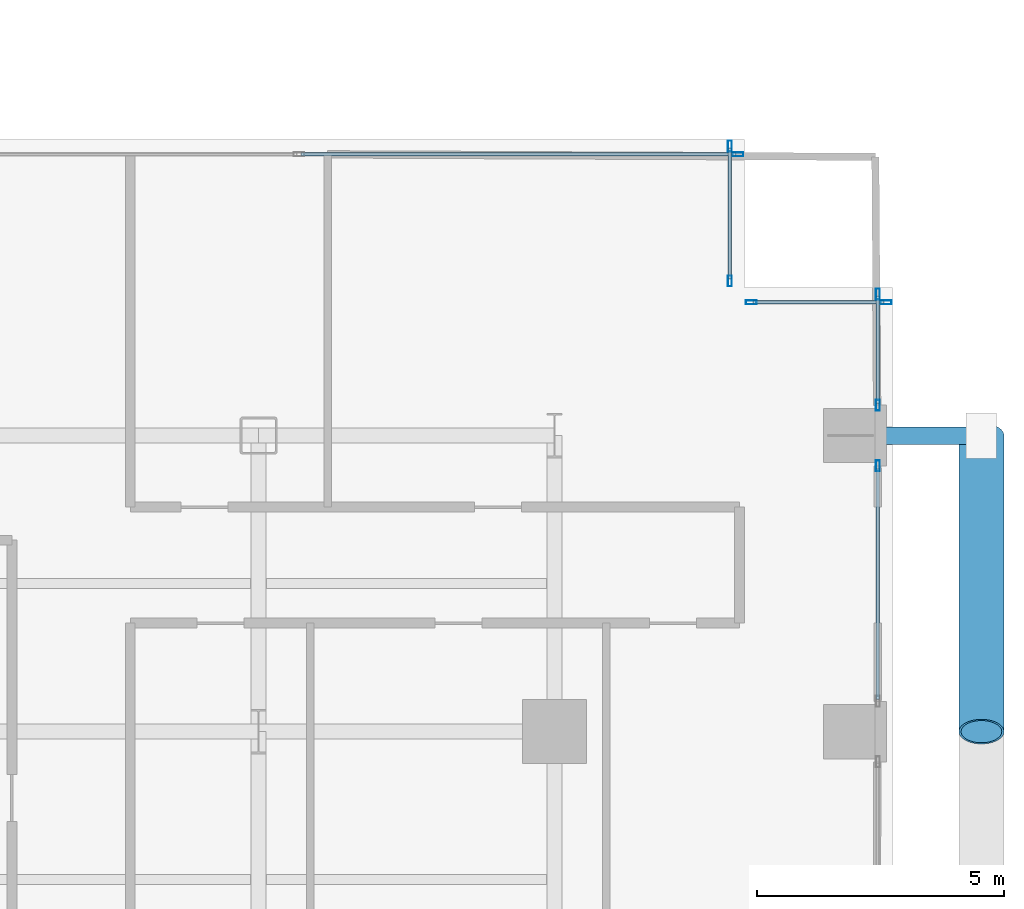
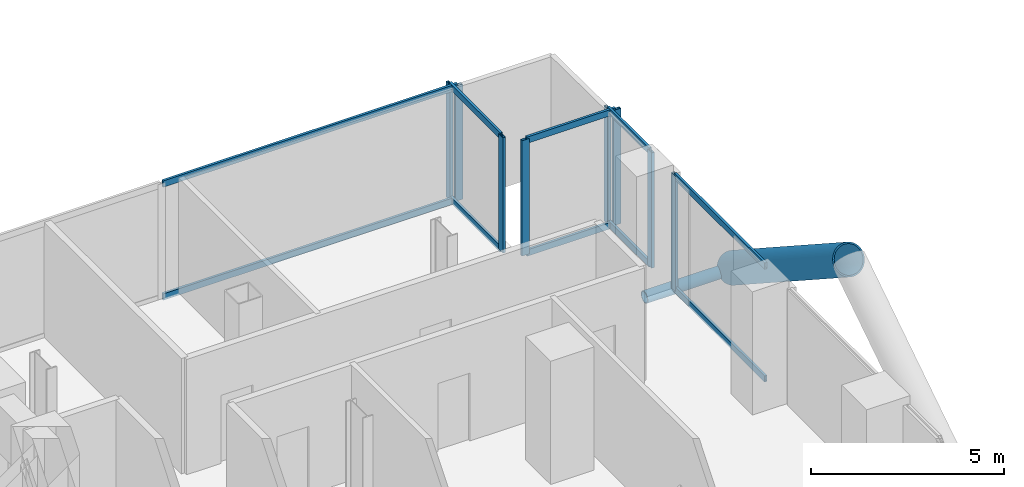
# One storey, part 12 of 25: 20 members, 5 elements without a shape of their own.
"""IFC4 building model written with IfcOpenShell, lengths in metres."""

from ifc_helpers import new_model, si_unit, direction, frame, origin, origin_2d, place, context, subcontext, project, spatial, hollow_rectangle, hollow_circle, extrude, material, layer, layer_set, material_profile, profile_set, type_object, element, aggregate, save


model = new_model("IFC4")

# Units and contexts
model_context = context("Model", 3, precision=1e-05, world=origin(), true_north=direction((0.0, 1.0)))
body_context = subcontext(model_context, "Body", "Model", "MODEL_VIEW")
ifc_project = project(units=[si_unit("LENGTHUNIT", "METRE"), si_unit("AREAUNIT", "SQUARE_METRE"), si_unit("VOLUMEUNIT", "CUBIC_METRE"), si_unit("PLANEANGLEUNIT", "RADIAN"), si_unit("MASSUNIT", "GRAM", prefix="KILO"), si_unit("THERMODYNAMICTEMPERATUREUNIT", "KELVIN"), si_unit("POWERUNIT", "WATT")], contexts=[model_context])

# Site, building, storey
site_placement = place(None, origin())
site = spatial("IfcSite", under=ifc_project, at=site_placement, CompositionType="ELEMENT")
building_placement = place(site_placement, origin())
building = spatial("IfcBuilding", under=site, at=building_placement, Name="Svarakhadi Broadcast Tower", CompositionType="ELEMENT")
storey_placement = place(building_placement, frame((0.0, 0.0, 63.60009765625)))
storey = spatial("IfcBuildingStorey", under=building, at=storey_placement, Name="L14", CompositionType="ELEMENT", Elevation=63.60009765625)

# Curtain wall, member
ifc_material_1 = material(Name="Anodised Bronze Aluminium AA 6063-T6", Category="aluminium")
ifc_layer = layer(ifc_material_1, 0.219970703125)
ifc_layer_set = layer_set([ifc_layer], Name="Anodised Bronze Aluminium AA 6063-T6")
curtain_wall_type = type_object("IfcCurtainWallType", Name="CW_Sys_02", PredefinedType="NOTDEFINED", material=ifc_layer_set)
curtain_wall_1_placement = place(storey_placement, origin())
curtain_wall_1 = element("IfcCurtainWall", 1, at=curtain_wall_1_placement, inside=storey, type_object=curtain_wall_type, Name="L14 Unitised Facade Curtain Wall 10", PredefinedType="NOTDEFINED")
ifc_material_profile_1 = material_profile(ifc_material_1, hollow_rectangle(XDim=0.0849609375, YDim=0.219970703125, WallThickness=0.006103515625, at=origin_2d()), Name="ALU MULLION 220x85x6")
ifc_profile_set_1 = profile_set([ifc_material_profile_1], Name="Anodised Bronze Aluminium AA 6063-T6")
member_type_1 = type_object("IfcMemberType", Name="CW_Sys_02_Mul", PredefinedType="MULLION", material=ifc_profile_set_1)
member_1_placement = place(storey_placement, frame((50.867431640625, 23.699951171875, 0.0), z_axis=(0.0, 0.0, 1.0), x_axis=(0.0, 1.0, 0.0)))
member_1 = element("IfcMember", 2, at=member_1_placement, type_object=member_type_1, Name="CW-02 mullion 4", PredefinedType="MULLION", context=body_context, shape_type="SweptSolid", body=[
    extrude(hollow_rectangle(XDim=0.0849609375, YDim=0.219970703125, WallThickness=0.006103515625, at=origin_2d()), origin(), (0.0, 0.0, 1.0), 3.64990234375),
])

# Curtain wall, members
curtain_wall_2_placement = place(storey_placement, origin())
curtain_wall_2 = element("IfcCurtainWall", 3, at=curtain_wall_2_placement, inside=storey, type_object=curtain_wall_type, Name="L14 Unitised Facade Curtain Wall 11", PredefinedType="NOTDEFINED")
member_2_placement = place(storey_placement, frame((50.699951171875, 23.867431640625, 0.0), z_axis=(0.0, 0.0, 1.0), x_axis=(1.0, 0.0, 0.0)))
member_2 = element("IfcMember", 4, at=member_2_placement, type_object=member_type_1, Name="CW-02 mullion 1", PredefinedType="MULLION", context=body_context, shape_type="SweptSolid", body=[
    extrude(hollow_rectangle(XDim=0.0849609375, YDim=0.219970703125, WallThickness=0.006103515625, at=origin_2d()), origin(), (0.0, 0.0, 1.0), 3.64990234375),
])
member_3_placement = place(storey_placement, frame((50.699951171875, 21.132568359375, 0.0), z_axis=(0.0, 0.0, 1.0), x_axis=(1.0, 0.0, 0.0)))
member_3 = element("IfcMember", 5, at=member_3_placement, type_object=member_type_1, Name="CW-02 mullion 2", PredefinedType="MULLION", context=body_context, shape_type="SweptSolid", body=[
    extrude(hollow_rectangle(XDim=0.0849609375, YDim=0.219970703125, WallThickness=0.006103515625, at=origin_2d()), origin(), (0.0, 0.0, 1.0), 3.64990234375),
])

curtain_wall_3_placement = place(storey_placement, origin())
curtain_wall_3 = element("IfcCurtainWall", 6, at=curtain_wall_3_placement, inside=storey, type_object=curtain_wall_type, Name="L14 Unitised Facade Curtain Wall 12", PredefinedType="NOTDEFINED")
member_4_placement = place(storey_placement, frame((51.132568359375, 20.699951171875, 0.0), z_axis=(0.0, 0.0, 1.0), x_axis=(0.0, 1.0, 0.0)))
member_4 = element("IfcMember", 7, at=member_4_placement, type_object=member_type_1, Name="CW-02 mullion 1", PredefinedType="MULLION", context=body_context, shape_type="SweptSolid", body=[
    extrude(hollow_rectangle(XDim=0.0849609375, YDim=0.219970703125, WallThickness=0.006103515625, at=origin_2d()), origin(), (0.0, 0.0, 1.0), 3.64990234375),
])
member_5_placement = place(storey_placement, frame((53.867431640625, 20.699951171875, 0.0), z_axis=(0.0, 0.0, 1.0), x_axis=(0.0, 1.0, 0.0)))
member_5 = element("IfcMember", 8, at=member_5_placement, type_object=member_type_1, Name="CW-02 mullion 2", PredefinedType="MULLION", context=body_context, shape_type="SweptSolid", body=[
    extrude(hollow_rectangle(XDim=0.0849609375, YDim=0.219970703125, WallThickness=0.006103515625, at=origin_2d()), origin(), (0.0, 0.0, 1.0), 3.64990234375),
])

curtain_wall_4_placement = place(storey_placement, origin())
curtain_wall_4 = element("IfcCurtainWall", 9, at=curtain_wall_4_placement, inside=storey, type_object=curtain_wall_type, Name="L14 Unitised Facade Curtain Wall 13 Bay 1", PredefinedType="NOTDEFINED")
member_6_placement = place(storey_placement, frame((53.699951171875, 20.867431640625, 0.0), z_axis=(0.0, 0.0, 1.0), x_axis=(1.0, 0.0, 0.0)))
member_6 = element("IfcMember", 10, at=member_6_placement, type_object=member_type_1, Name="CW-02 mullion 1", PredefinedType="MULLION", context=body_context, shape_type="SweptSolid", body=[
    extrude(hollow_rectangle(XDim=0.0849609375, YDim=0.219970703125, WallThickness=0.006103515625, at=origin_2d()), origin(), (0.0, 0.0, 1.0), 3.64990234375),
])
member_7_placement = place(storey_placement, frame((53.699951171875, 18.612548828125, 0.0), z_axis=(0.0, 0.0, 1.0), x_axis=(1.0, 0.0, 0.0)))
member_7 = element("IfcMember", 11, at=member_7_placement, type_object=member_type_1, Name="CW-02 mullion 2", PredefinedType="MULLION", context=body_context, shape_type="SweptSolid", body=[
    extrude(hollow_rectangle(XDim=0.0849609375, YDim=0.219970703125, WallThickness=0.006103515625, at=origin_2d()), origin(), (0.0, 0.0, 1.0), 3.64990234375),
])

# Curtain wall, member
curtain_wall_5_placement = place(storey_placement, origin())
curtain_wall_5 = element("IfcCurtainWall", 12, at=curtain_wall_5_placement, inside=storey, type_object=curtain_wall_type, Name="L14 Unitised Facade Curtain Wall 13 Bay 2", PredefinedType="NOTDEFINED")
member_8_placement = place(storey_placement, frame((53.699951171875, 17.387451171875, 0.0), z_axis=(0.0, 0.0, 1.0), x_axis=(1.0, 0.0, 0.0)))
member_8 = element("IfcMember", 13, at=member_8_placement, type_object=member_type_1, Name="CW-02 mullion 1", PredefinedType="MULLION", context=body_context, shape_type="SweptSolid", body=[
    extrude(hollow_rectangle(XDim=0.0849609375, YDim=0.219970703125, WallThickness=0.006103515625, at=origin_2d()), origin(), (0.0, 0.0, 1.0), 3.64990234375),
])

# Member
ifc_material_profile_2 = material_profile(ifc_material_1, hollow_rectangle(XDim=0.074951171875, YDim=0.199951171875, WallThickness=0.0048828125, at=origin_2d()), Name="ALU TRANSOM 200x75x5")
ifc_profile_set_2 = profile_set([ifc_material_profile_2], Name="Anodised Bronze Aluminium AA 6063-T6")
member_type_2 = type_object("IfcMemberType", Name="CW_Sys_02_Trn", PredefinedType="USERDEFINED", material=ifc_profile_set_2)
member_9_placement = place(storey_placement, frame((42.012451171875, 23.699951171875, 0.037353515625), z_axis=(1.0, 0.0, 0.0), x_axis=(0.0, 1.0, 0.0)))
member_9 = element("IfcMember", 14, at=member_9_placement, type_object=member_type_2, Name="CW-02 transom 3.1", ObjectType="TRANSOM", PredefinedType="USERDEFINED", context=body_context, shape_type="SweptSolid", body=[
    extrude(hollow_rectangle(XDim=0.074951171875, YDim=0.199951171875, WallThickness=0.0048828125, at=origin_2d()), origin(), (0.0, 0.0, 1.0), 8.8125),
])

member_10_placement = place(storey_placement, frame((42.012451171875, 23.699951171875, 3.6123046875), z_axis=(1.0, 0.0, 0.0), x_axis=(0.0, 1.0, 0.0)))
member_10 = element("IfcMember", 15, at=member_10_placement, type_object=member_type_2, Name="CW-02 transom 3.2", ObjectType="TRANSOM", PredefinedType="USERDEFINED", context=body_context, shape_type="SweptSolid", body=[
    extrude(hollow_rectangle(XDim=0.074951171875, YDim=0.199951171875, WallThickness=0.0048828125, at=origin_2d()), origin(), (0.0, 0.0, 1.0), 8.8125),
])

aggregate(curtain_wall_1, [member_1, member_9, member_10])

member_11_placement = place(storey_placement, frame((50.699951171875, 23.824951171875, 0.037353515625), z_axis=(0.0, -1.0, 0.0), x_axis=(1.0, 0.0, 0.0)))
member_11 = element("IfcMember", 16, at=member_11_placement, type_object=member_type_2, Name="CW-02 transom 1.1", ObjectType="TRANSOM", PredefinedType="USERDEFINED", context=body_context, shape_type="SweptSolid", body=[
    extrude(hollow_rectangle(XDim=0.074951171875, YDim=0.199951171875, WallThickness=0.0048828125, at=origin_2d()), origin(), (0.0, 0.0, 1.0), 2.64990234375),
])

member_12_placement = place(storey_placement, frame((50.699951171875, 23.824951171875, 3.6123046875), z_axis=(0.0, -1.0, 0.0), x_axis=(1.0, 0.0, 0.0)))
member_12 = element("IfcMember", 17, at=member_12_placement, type_object=member_type_2, Name="CW-02 transom 1.2", ObjectType="TRANSOM", PredefinedType="USERDEFINED", context=body_context, shape_type="SweptSolid", body=[
    extrude(hollow_rectangle(XDim=0.074951171875, YDim=0.199951171875, WallThickness=0.0048828125, at=origin_2d()), origin(), (0.0, 0.0, 1.0), 2.64990234375),
])

aggregate(curtain_wall_2, [member_2, member_3, member_11, member_12])

member_13_placement = place(storey_placement, frame((51.175048828125, 20.699951171875, 0.037353515625), z_axis=(1.0, 0.0, 0.0), x_axis=(0.0, 1.0, 0.0)))
member_13 = element("IfcMember", 18, at=member_13_placement, type_object=member_type_2, Name="CW-02 transom 1.1", ObjectType="TRANSOM", PredefinedType="USERDEFINED", context=body_context, shape_type="SweptSolid", body=[
    extrude(hollow_rectangle(XDim=0.074951171875, YDim=0.199951171875, WallThickness=0.0048828125, at=origin_2d()), origin(), (0.0, 0.0, 1.0), 2.64990234375),
])

member_14_placement = place(storey_placement, frame((51.175048828125, 20.699951171875, 3.6123046875), z_axis=(1.0, 0.0, 0.0), x_axis=(0.0, 1.0, 0.0)))
member_14 = element("IfcMember", 19, at=member_14_placement, type_object=member_type_2, Name="CW-02 transom 1.2", ObjectType="TRANSOM", PredefinedType="USERDEFINED", context=body_context, shape_type="SweptSolid", body=[
    extrude(hollow_rectangle(XDim=0.074951171875, YDim=0.199951171875, WallThickness=0.0048828125, at=origin_2d()), origin(), (0.0, 0.0, 1.0), 2.64990234375),
])

aggregate(curtain_wall_3, [member_4, member_5, member_13, member_14])

member_15_placement = place(storey_placement, frame((53.699951171875, 20.824951171875, 0.037353515625), z_axis=(0.0, -1.0, 0.0), x_axis=(1.0, 0.0, 0.0)))
member_15 = element("IfcMember", 20, at=member_15_placement, type_object=member_type_2, Name="CW-02 transom 1.1", ObjectType="TRANSOM", PredefinedType="USERDEFINED", context=body_context, shape_type="SweptSolid", body=[
    extrude(hollow_rectangle(XDim=0.074951171875, YDim=0.199951171875, WallThickness=0.0048828125, at=origin_2d()), origin(), (0.0, 0.0, 1.0), 2.169921875),
])

member_16_placement = place(storey_placement, frame((53.699951171875, 20.824951171875, 3.6123046875), z_axis=(0.0, -1.0, 0.0), x_axis=(1.0, 0.0, 0.0)))
member_16 = element("IfcMember", 21, at=member_16_placement, type_object=member_type_2, Name="CW-02 transom 1.2", ObjectType="TRANSOM", PredefinedType="USERDEFINED", context=body_context, shape_type="SweptSolid", body=[
    extrude(hollow_rectangle(XDim=0.074951171875, YDim=0.199951171875, WallThickness=0.0048828125, at=origin_2d()), origin(), (0.0, 0.0, 1.0), 2.169921875),
])

aggregate(curtain_wall_4, [member_6, member_7, member_15, member_16])

member_17_placement = place(storey_placement, frame((53.699951171875, 17.344970703125, 0.037353515625), z_axis=(0.0, -1.0, 0.0), x_axis=(1.0, 0.0, 0.0)))
member_17 = element("IfcMember", 22, at=member_17_placement, type_object=member_type_2, Name="CW-02 transom 1.1", ObjectType="TRANSOM", PredefinedType="USERDEFINED", context=body_context, shape_type="SweptSolid", body=[
    extrude(hollow_rectangle(XDim=0.074951171875, YDim=0.199951171875, WallThickness=0.0048828125, at=origin_2d()), origin(), (0.0, 0.0, 1.0), 4.68994140625),
])

member_18_placement = place(storey_placement, frame((53.699951171875, 17.344970703125, 3.6123046875), z_axis=(0.0, -1.0, 0.0), x_axis=(1.0, 0.0, 0.0)))
member_18 = element("IfcMember", 23, at=member_18_placement, type_object=member_type_2, Name="CW-02 transom 1.2", ObjectType="TRANSOM", PredefinedType="USERDEFINED", context=body_context, shape_type="SweptSolid", body=[
    extrude(hollow_rectangle(XDim=0.074951171875, YDim=0.199951171875, WallThickness=0.0048828125, at=origin_2d()), origin(), (0.0, 0.0, 1.0), 4.68994140625),
])

aggregate(curtain_wall_5, [member_8, member_17, member_18])

# Members
ifc_material_2 = material(Name="Steel S460ML (IS 2062 E450BR)", Category="steel")
ifc_material_profile_3 = material_profile(ifc_material_2, hollow_circle(Radius=0.45703125, WallThickness=0.044921875, at=origin_2d()), Name="CHS 914x45")
ifc_profile_set_3 = profile_set([ifc_material_profile_3], Name="Steel S460ML (IS 2062 E450BR)")
member_type_3 = type_object("IfcMemberType", Name="Exo_Brace_CHS914", PredefinedType="BRACE", material=ifc_profile_set_3)
member_19_placement = place(storey_placement, frame((55.800048828125, 18.0, -0.427978515625), z_axis=(0.0, -0.838434262763, 0.545002740383), x_axis=(1.0, 0.0, 0.0)))
element("IfcMember", 24, at=member_19_placement, inside=storey, type_object=member_type_3, Name="L14 Exposed Bronze Exoskeleton Diagonal E09", PredefinedType="BRACE", context=body_context, shape_type="SweptSolid", body=[
    extrude(hollow_circle(Radius=0.45703125, WallThickness=0.044921875, at=origin_2d()), origin(), (0.0, 0.0, 1.0), 7.15625),
])
ifc_material_profile_4 = material_profile(ifc_material_2, hollow_circle(Radius=0.177734375, WallThickness=0.02001953125, at=origin_2d()), Name="CHS 355.6x20")
ifc_profile_set_4 = profile_set([ifc_material_profile_4], Name="Steel S460ML (IS 2062 E450BR)")
member_type_4 = type_object("IfcMemberType", Name="Exo_Radial_Strut_Z1", PredefinedType="STRUT", material=ifc_profile_set_4)
member_20_placement = place(storey_placement, frame((55.800048828125, 18.0, -0.427978515625), z_axis=(-1.0, 0.0, 0.0), x_axis=(0.0, -1.0, 0.0)))
element("IfcMember", 25, at=member_20_placement, inside=storey, type_object=member_type_4, Name="L14 Exoskeleton Radial Tie Strut E10", PredefinedType="STRUT", context=body_context, shape_type="SweptSolid", body=[
    extrude(hollow_circle(Radius=0.177734375, WallThickness=0.02001953125, at=origin_2d()), origin(), (0.0, 0.0, 1.0), 2.650146484375),
])

save(model, "model.ifc")
